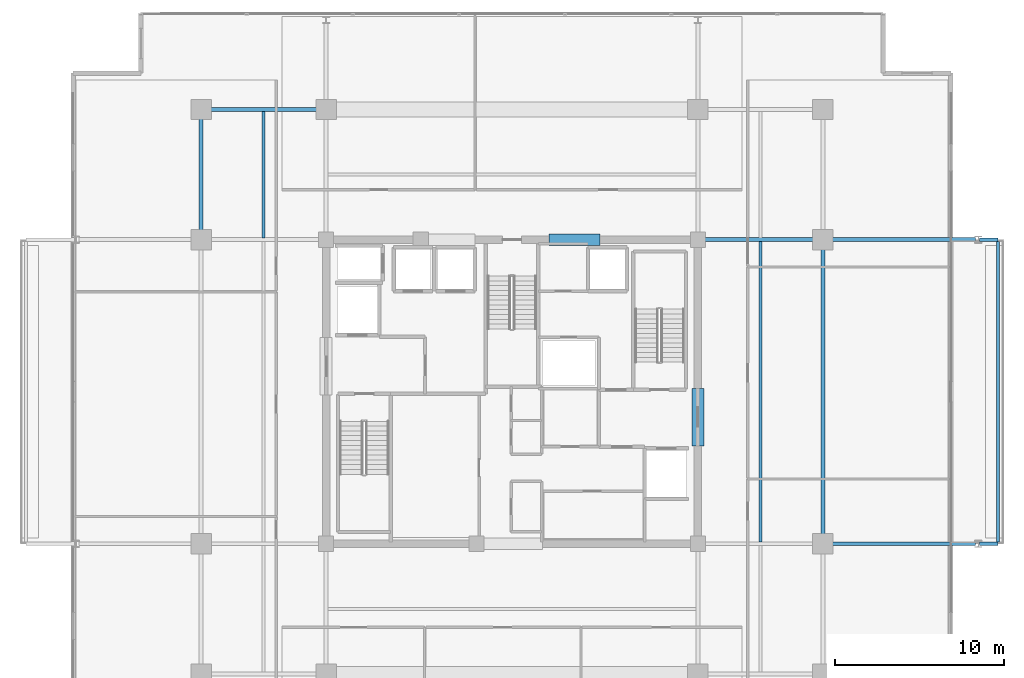
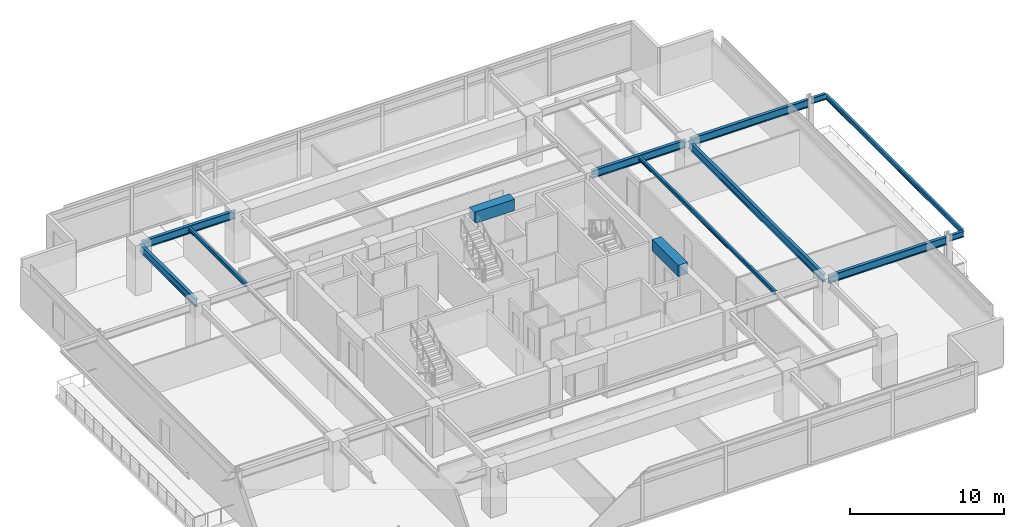
# One storey, part 7 of 21: 13 beams.
"""IFC4 building model written with IfcOpenShell, lengths in metres."""

from ifc_helpers import new_model, si_unit, direction, frame, origin, origin_2d, place, context, subcontext, project, spatial, rectangle, i_section, extrude, material, material_profile, profile_set, type_object, element, save


model = new_model("IFC4")

# Units and contexts
model_context = context("Model", 3, precision=1e-05, world=origin(), true_north=direction((0.0, 1.0)))
body_context = subcontext(model_context, "Body", "Model", "MODEL_VIEW")
ifc_project = project(units=[si_unit("LENGTHUNIT", "METRE"), si_unit("AREAUNIT", "SQUARE_METRE"), si_unit("VOLUMEUNIT", "CUBIC_METRE"), si_unit("PLANEANGLEUNIT", "RADIAN"), si_unit("MASSUNIT", "GRAM", prefix="KILO")], contexts=[model_context])

# Site, building, storey
site_placement = place(None, origin())
site = spatial("IfcSite", under=ifc_project, at=site_placement, CompositionType="ELEMENT")
building_placement = place(site_placement, origin())
building = spatial("IfcBuilding", under=site, at=building_placement, Name="Kovane Verandah Tower", CompositionType="ELEMENT")
storey_placement = place(building_placement, frame((0.0, 0.0, 275.199951171875)))
storey = spatial("IfcBuildingStorey", under=building, at=storey_placement, Name="L64", CompositionType="ELEMENT", Elevation=275.199951171875)

# Beams
ifc_material_1 = material(Name="Concrete C60/75", Category="concrete")
ifc_material_profile_1 = material_profile(ifc_material_1, rectangle(XDim=0.699951171875, YDim=0.89990234375, at=origin_2d()), Name="RCB700x900")
ifc_profile_set_1 = profile_set([ifc_material_profile_1], Name="Concrete C60/75")
beam_type_1 = type_object("IfcBeamType", Name="BM-LINTEL-700x900", PredefinedType="LINTEL", material=ifc_profile_set_1)
beam_1_placement = place(storey_placement, frame((42.199951171875, 36.5, 3.3349609375), z_axis=(1.0, 0.0, 0.0), x_axis=(0.0, 1.0, 0.0)))
element("IfcBeam", 1, at=beam_1_placement, inside=storey, type_object=beam_type_1, Name="L64 Core Coupling Lintel CL-N2", PredefinedType="LINTEL", context=body_context, shape_type="SweptSolid", body=[
    extrude(rectangle(XDim=0.699951171875, YDim=0.89990234375, at=origin_2d()), origin(), (0.0, 0.0, 1.0), 3.0),
])
beam_2_placement = place(storey_placement, frame((51.0, 24.300048828125, 3.3349609375), z_axis=(0.0, 1.0, 0.0), x_axis=(-1.0, 0.0, 0.0)))
element("IfcBeam", 2, at=beam_2_placement, inside=storey, type_object=beam_type_1, Name="L64 Core Coupling Lintel CL-E", PredefinedType="LINTEL", context=body_context, shape_type="SweptSolid", body=[
    extrude(rectangle(XDim=0.699951171875, YDim=0.89990234375, at=origin_2d()), origin(), (0.0, 0.0, 1.0), 3.39990234375),
])
ifc_material_2 = material(Name="Steel S355", Category="steel")
ifc_material_profile_2 = material_profile(ifc_material_2, i_section(OverallWidth=0.230224609375, OverallDepth=0.6171875, WebThickness=0.01318359375, FlangeThickness=0.022216796875, FilletRadius=0.0126953125, at=origin_2d()), Name="UB610x229x140")
ifc_profile_set_2 = profile_set([ifc_material_profile_2], Name="Steel S355")
beam_type_2 = type_object("IfcBeamType", Name="BM-UB610x140", PredefinedType="BEAM", material=ifc_profile_set_2)
beam_3_placement = place(storey_placement, frame((21.780029296875, 44.199951171875, 3.4765625), z_axis=(1.0, 0.0, 0.0), x_axis=(0.0, 1.0, 0.0)))
element("IfcBeam", 3, at=beam_3_placement, inside=storey, type_object=beam_type_2, Name="L64 Primary Tower Girder G-RN1", PredefinedType="BEAM", context=body_context, shape_type="SweptSolid", body=[
    extrude(i_section(OverallWidth=0.230224609375, OverallDepth=0.6171875, WebThickness=0.01318359375, FlangeThickness=0.022216796875, FilletRadius=0.0126953125, at=origin_2d()), origin(), (0.0, 0.0, 1.0), 7.0400390625),
])
beam_4_placement = place(storey_placement, frame((21.60009765625, 36.679931640625, 3.4765625), z_axis=(0.0, 1.0, 0.0), x_axis=(-1.0, 0.0, 0.0)))
element("IfcBeam", 4, at=beam_4_placement, inside=storey, type_object=beam_type_2, Name="L64 Primary Tower Girder G-RW3", PredefinedType="BEAM", context=body_context, shape_type="SweptSolid", body=[
    extrude(i_section(OverallWidth=0.230224609375, OverallDepth=0.6171875, WebThickness=0.01318359375, FlangeThickness=0.022216796875, FilletRadius=0.0126953125, at=origin_2d()), origin(), (0.0, 0.0, 1.0), 7.340087890625),
])
beam_5_placement = place(storey_placement, frame((58.39990234375, 18.679931640625, 3.4765625), z_axis=(0.0, 1.0, 0.0), x_axis=(-1.0, 0.0, 0.0)))
element("IfcBeam", 5, at=beam_5_placement, inside=storey, type_object=beam_type_2, Name="L64 Primary Tower Girder G-RE2", PredefinedType="BEAM", context=body_context, shape_type="SweptSolid", body=[
    extrude(i_section(OverallWidth=0.230224609375, OverallDepth=0.6171875, WebThickness=0.01318359375, FlangeThickness=0.022216796875, FilletRadius=0.0126953125, at=origin_2d()), origin(), (0.0, 0.0, 1.0), 17.64013671875),
])
beam_6_placement = place(storey_placement, frame((51.179931640625, 36.5, 3.4765625), z_axis=(1.0, 0.0, 0.0), x_axis=(0.0, 1.0, 0.0)))
element("IfcBeam", 6, at=beam_6_placement, inside=storey, type_object=beam_type_2, Name="L64 Primary Tower Girder G-E2", PredefinedType="BEAM", context=body_context, shape_type="SweptSolid", body=[
    extrude(i_section(OverallWidth=0.230224609375, OverallDepth=0.6171875, WebThickness=0.01318359375, FlangeThickness=0.022216796875, FilletRadius=0.0126953125, at=origin_2d()), origin(), (0.0, 0.0, 1.0), 7.0400390625),
])
for number, where, z_axis, x_axis, name in (
    (7, (58.580078125, 18.5, 3.451416015625), (1.0, 0.0, 0.0), (0.0, 1.0, 0.0), "L64 Primary Tower Girder G-VE1"),
    (8, (58.580078125, 36.5, 3.451416015625), (1.0, 0.0, 0.0), (0.0, 1.0, 0.0), "L64 Primary Tower Girder G-VE2"),
):
    element("IfcBeam", number, at=place(storey_placement, frame(where, z_axis=z_axis, x_axis=x_axis)), inside=storey, type_object=beam_type_2, Name=name, PredefinedType="BEAM", context=body_context, shape_type="SweptSolid", body=[
        extrude(i_section(OverallWidth=0.230224609375, OverallDepth=0.6171875, WebThickness=0.01318359375, FlangeThickness=0.022216796875, FilletRadius=0.0126953125, at=origin_2d()), origin(), (0.0, 0.0, 1.0), 8.83984375),
    ])
ifc_material_profile_3 = material_profile(ifc_material_2, i_section(OverallWidth=0.1669921875, OverallDepth=0.310302734375, WebThickness=0.0078125, FlangeThickness=0.013671875, FilletRadius=0.0087890625, at=origin_2d()), Name="UB305x165x54")
ifc_profile_set_3 = profile_set([ifc_material_profile_3], Name="Steel S355")
beam_type_3 = type_object("IfcBeamType", Name="JST-UB305x54", PredefinedType="JOIST", material=ifc_profile_set_3)
beam_7_placement = place(storey_placement, frame((54.699951171875, 18.613037109375, 3.6298828125), z_axis=(0.0, 1.0, 0.0), x_axis=(-1.0, 0.0, 0.0)))
element("IfcBeam", 9, at=beam_7_placement, inside=storey, type_object=beam_type_3, Name="L64 Secondary Composite Joist J-E1", PredefinedType="JOIST", context=body_context, shape_type="SweptSolid", body=[
    extrude(i_section(OverallWidth=0.1669921875, OverallDepth=0.310302734375, WebThickness=0.0078125, FlangeThickness=0.013671875, FilletRadius=0.0087890625, at=origin_2d()), origin(), (0.0, 0.0, 1.0), 17.77392578125),
])
beam_8_placement = place(storey_placement, frame((25.300048828125, 36.613037109375, 3.6298828125), z_axis=(0.0, 1.0, 0.0), x_axis=(-1.0, 0.0, 0.0)))
element("IfcBeam", 10, at=beam_8_placement, inside=storey, type_object=beam_type_3, Name="L64 Secondary Composite Joist J-NW1", PredefinedType="JOIST", context=body_context, shape_type="SweptSolid", body=[
    extrude(i_section(OverallWidth=0.1669921875, OverallDepth=0.310302734375, WebThickness=0.0078125, FlangeThickness=0.013671875, FilletRadius=0.0087890625, at=origin_2d()), origin(), (0.0, 0.0, 1.0), 7.473876953125),
])
ifc_material_profile_4 = material_profile(ifc_material_2, i_section(OverallWidth=0.19287109375, OverallDepth=0.46728515625, WebThickness=0.011474609375, FlangeThickness=0.01953125, FilletRadius=0.01025390625, at=origin_2d()), Name="UB457x191x98")
ifc_profile_set_4 = profile_set([ifc_material_profile_4], Name="Steel S355")
beam_type_4 = type_object("IfcBeamType", Name="JST-UB457x98", PredefinedType="JOIST", material=ifc_profile_set_4)
for number, where, z_axis, x_axis, name in (
    (11, (67.679931640625, 18.5, 3.5263671875), (1.0, 0.0, 0.0), (0.0, 1.0, 0.0), "L64 East Planter Girder 1"),
    (12, (67.679931640625, 36.5, 3.5263671875), (1.0, 0.0, 0.0), (0.0, 1.0, 0.0), "L64 East Planter Girder 2"),
):
    element("IfcBeam", number, at=place(storey_placement, frame(where, z_axis=z_axis, x_axis=x_axis)), inside=storey, type_object=beam_type_4, Name=name, PredefinedType="JOIST", context=body_context, shape_type="SweptSolid", body=[
        extrude(i_section(OverallWidth=0.19287109375, OverallDepth=0.46728515625, WebThickness=0.011474609375, FlangeThickness=0.01953125, FilletRadius=0.01025390625, at=origin_2d()), origin(), (0.0, 0.0, 1.0), 1.079833984375),
    ])
ifc_material_profile_5 = material_profile(ifc_material_2, i_section(OverallWidth=0.173095703125, OverallDepth=0.36328125, WebThickness=0.009033203125, FlangeThickness=0.015625, FilletRadius=0.01025390625, at=origin_2d()), Name="UB356x171x67")
ifc_profile_set_5 = profile_set([ifc_material_profile_5], Name="Steel S355")
beam_type_5 = type_object("IfcBeamType", Name="SPD-UB356x67", PredefinedType="USERDEFINED", material=ifc_profile_set_5)
beam_9_placement = place(storey_placement, frame((68.759765625, 18.594482421875, 3.578369140625), z_axis=(0.0, 1.0, 0.0), x_axis=(-1.0, 0.0, 0.0)))
element("IfcBeam", 13, at=beam_9_placement, inside=storey, type_object=beam_type_5, Name="L64 East Planter Edge Spandrel", ObjectType="SPANDREL", PredefinedType="USERDEFINED", context=body_context, shape_type="SweptSolid", body=[
    extrude(i_section(OverallWidth=0.173095703125, OverallDepth=0.36328125, WebThickness=0.009033203125, FlangeThickness=0.015625, FilletRadius=0.01025390625, at=origin_2d()), origin(), (0.0, 0.0, 1.0), 17.81103515625),
])

save(model, "model.ifc")
